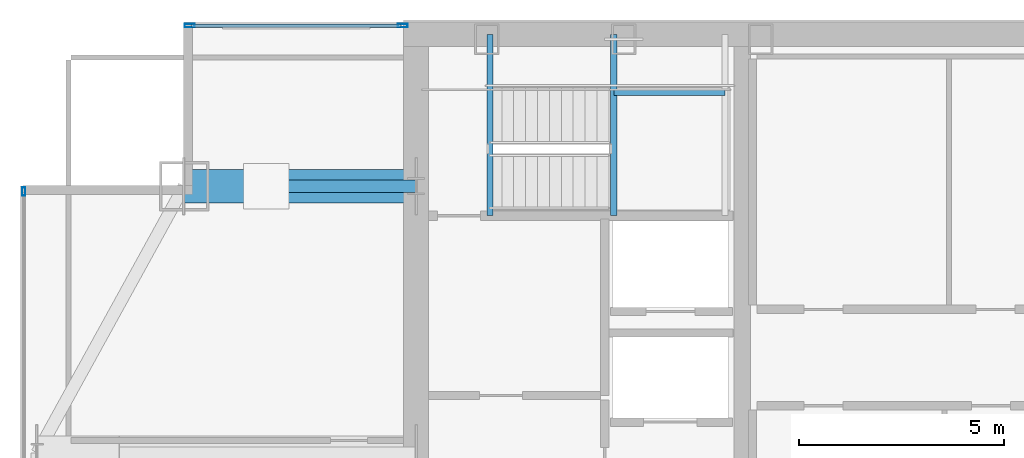
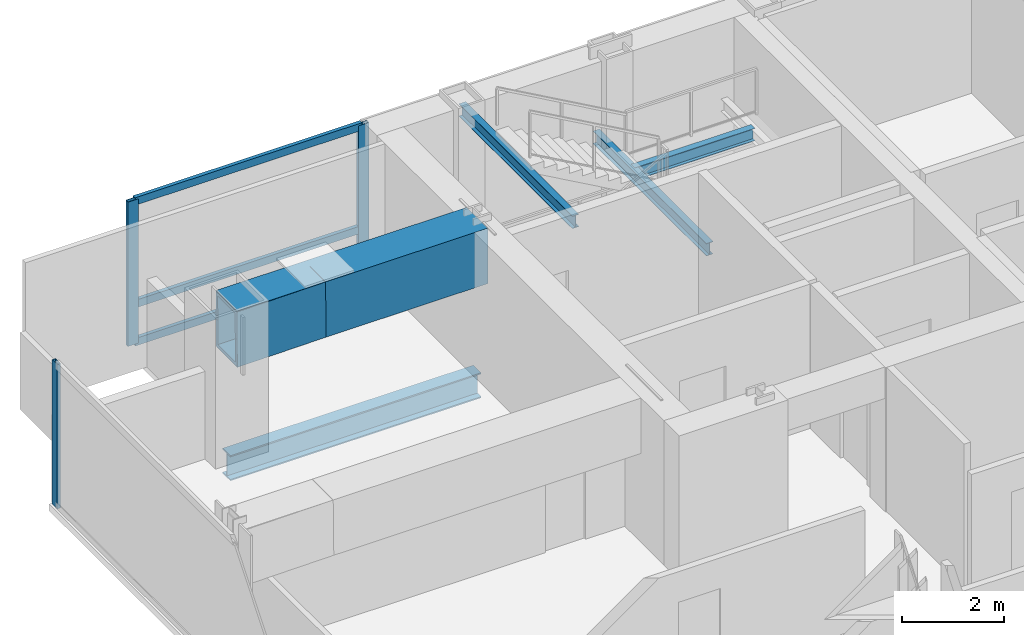
# One storey, part 17 of 26: 6 beams, 6 members, 2 elements without a shape of their own.
"""IFC4 building model written with IfcOpenShell, lengths in metres."""

from ifc_helpers import new_model, si_unit, direction, frame, origin, origin_2d, place, context, subcontext, project, spatial, hollow_rectangle, i_section, extrude, material, material_profile, profile_set, type_object, element, aggregate, save


model = new_model("IFC4")

# Units and contexts
model_context = context("Model", 3, precision=1e-05, world=origin(), true_north=direction((0.0, 1.0)))
body_context = subcontext(model_context, "Body", "Model", "MODEL_VIEW")
ifc_project = project(units=[si_unit("LENGTHUNIT", "METRE"), si_unit("AREAUNIT", "SQUARE_METRE"), si_unit("VOLUMEUNIT", "CUBIC_METRE"), si_unit("PLANEANGLEUNIT", "RADIAN"), si_unit("MASSUNIT", "GRAM", prefix="KILO")], contexts=[model_context])

# Site, building, storey
site_placement = place(None, origin())
site = spatial("IfcSite", under=ifc_project, at=site_placement, CompositionType="ELEMENT")
building_placement = place(site_placement, origin())
building = spatial("IfcBuilding", under=site, at=building_placement, Name="Khoronbel Lancet Exchange", CompositionType="ELEMENT")
storey_placement = place(building_placement, frame((0.0, 0.0, 235.39990234375)))
storey = spatial("IfcBuildingStorey", under=building, at=storey_placement, Name="L60", CompositionType="ELEMENT", Elevation=235.39990234375)

# Beams
ifc_material_1 = material(Name="Steel S355", Category="steel")
ifc_material_profile_1 = material_profile(ifc_material_1, i_section(OverallWidth=0.14990234375, OverallDepth=0.300048828125, WebThickness=0.007080078125, FlangeThickness=0.0107421875, at=origin_2d()), Name="IPE 300")
ifc_profile_set_1 = profile_set([ifc_material_profile_1], Name="Steel S355")
beam_type_1 = type_object("IfcBeamType", Name="BM-BJ8", PredefinedType="JOIST", material=ifc_profile_set_1)
beam_1_placement = place(storey_placement, frame((21.320068359375, 48.97998046875, 1.4501953125), z_axis=(0.0, 1.0, 0.0), x_axis=(-1.0, 0.0, 0.0)))
element("IfcBeam", 1, at=beam_1_placement, inside=storey, type_object=beam_type_1, Name="Level L60 stair ST1 landing bearer beam 1", PredefinedType="JOIST", context=body_context, shape_type="SweptSolid", body=[
    extrude(i_section(OverallWidth=0.14990234375, OverallDepth=0.300048828125, WebThickness=0.007080078125, FlangeThickness=0.0107421875, at=origin_2d()), origin(), (0.0, 0.0, 1.0), 4.419921875),
])
beam_2_placement = place(storey_placement, frame((21.320068359375, 51.97998046875, 1.4501953125), z_axis=(1.0, 0.0, 0.0), x_axis=(0.0, 1.0, 0.0)))
element("IfcBeam", 2, at=beam_2_placement, inside=storey, type_object=beam_type_1, Name="Level L60 stair ST1 landing cross trimmer beam 1", PredefinedType="JOIST", context=body_context, shape_type="SweptSolid", body=[
    extrude(i_section(OverallWidth=0.14990234375, OverallDepth=0.300048828125, WebThickness=0.007080078125, FlangeThickness=0.0107421875, at=origin_2d()), origin(), (0.0, 0.0, 1.0), 2.7099609375),
])
beam_3_placement = place(storey_placement, frame((18.300048828125, 48.97998046875, 3.16015625), z_axis=(0.0, 1.0, 0.0), x_axis=(-1.0, 0.0, 0.0)))
element("IfcBeam", 3, at=beam_3_placement, inside=storey, type_object=beam_type_1, Name="Level L60 stair ST1 upper-flight arrival trimmer beam", PredefinedType="JOIST", context=body_context, shape_type="SweptSolid", body=[
    extrude(i_section(OverallWidth=0.14990234375, OverallDepth=0.300048828125, WebThickness=0.007080078125, FlangeThickness=0.0107421875, at=origin_2d()), origin(), (0.0, 0.0, 1.0), 4.419921875),
])
ifc_material_profile_2 = material_profile(ifc_material_1, i_section(OverallWidth=0.300048828125, OverallDepth=0.60009765625, WebThickness=0.015380859375, FlangeThickness=0.030029296875, at=origin_2d()), Name="HEB 600")
ifc_profile_set_2 = profile_set([ifc_material_profile_2], Name="Steel S355")
beam_type_2 = type_object("IfcBeamType", Name="BM-BSP2", PredefinedType="SPANDREL", material=ifc_profile_set_2)
beam_4_placement = place(storey_placement, frame((10.85009765625, 49.699951171875, -0.4599609375), z_axis=(1.0, 0.0, 0.0), x_axis=(0.0, 1.0, 0.0)))
element("IfcBeam", 4, at=beam_4_placement, inside=storey, type_object=beam_type_2, Name="Level L60 north flank tie spandrel SP22", PredefinedType="SPANDREL", context=body_context, shape_type="SweptSolid", body=[
    extrude(i_section(OverallWidth=0.300048828125, OverallDepth=0.60009765625, WebThickness=0.015380859375, FlangeThickness=0.030029296875, at=origin_2d()), origin(), (0.0, 0.0, 1.0), 5.64990234375),
])
ifc_material_2 = material(Name="Steel S460", Category="steel")
ifc_material_profile_3 = material_profile(ifc_material_2, hollow_rectangle(XDim=0.820068359375, YDim=1.320068359375, WallThickness=0.070068359375, at=origin_2d()), Name="BOX 820x1320x70")
ifc_profile_set_3 = profile_set([ifc_material_profile_3], Name="Steel S460")
beam_type_3 = type_object("IfcBeamType", Name="BM-TG4", PredefinedType="USERDEFINED", material=ifc_profile_set_3)
beam_5_placement = place(storey_placement, frame((10.85009765625, 49.699951171875, 2.760009765625), z_axis=(0.99994990606, 0.0, 0.010009264196), x_axis=(0.0, 1.0, 0.0)))
element("IfcBeam", 5, at=beam_5_placement, inside=storey, type_object=beam_type_3, Name="Setback transfer knee-brace girder L60-MC-NW", ObjectType="TRANSFER GIRDER", PredefinedType="USERDEFINED", context=body_context, shape_type="SweptSolid", body=[
    extrude(hollow_rectangle(XDim=0.820068359375, YDim=1.320068359375, WallThickness=0.070068359375, at=origin_2d()), origin(), (0.0, 0.0, 1.0), 2.0),
])
beam_6_placement = place(storey_placement, frame((10.85009765625, 49.699951171875, 2.780029296875), z_axis=(1.0, 0.0, 0.0), x_axis=(0.0, 1.0, 0.0)))
element("IfcBeam", 6, at=beam_6_placement, inside=storey, type_object=beam_type_3, Name="Corner mega-column setback transfer girder L60-NW", ObjectType="TRANSFER GIRDER", PredefinedType="USERDEFINED", context=body_context, shape_type="SweptSolid", body=[
    extrude(hollow_rectangle(XDim=0.820068359375, YDim=1.320068359375, WallThickness=0.070068359375, at=origin_2d()), origin(), (0.0, 0.0, 1.0), 5.64990234375),
])

# Curtain wall, members
ifc_material_3 = material(Name="Low-E Solar Control Insulating Glass", Category="glass")
curtain_wall_type_1 = type_object("IfcCurtainWallType", Name="CW-3", PredefinedType="NOTDEFINED", material=ifc_material_3)
curtain_wall_1_placement = place(storey_placement, origin())
curtain_wall_1 = element("IfcCurtainWall", 7, at=curtain_wall_1_placement, inside=storey, type_object=curtain_wall_type_1, Name="Unitised curtain wall CW-L60-NWFLK", PredefinedType="NOTDEFINED")
ifc_material_4 = material(Name="Bronze-Anodised Aluminium 6063-T6", Category="aluminium")
ifc_material_profile_4 = material_profile(ifc_material_4, hollow_rectangle(XDim=0.0849609375, YDim=0.239990234375, WallThickness=0.006103515625, at=origin_2d()), Name="ALU MULLION 85x240")
ifc_profile_set_4 = profile_set([ifc_material_profile_4], Name="Bronze-Anodised Aluminium 6063-T6")
member_type_1 = type_object("IfcMemberType", Name="MEM-CWM1", PredefinedType="MULLION", material=ifc_profile_set_4)
member_1_placement = place(storey_placement, frame((16.177490234375, 53.610107421875, 0.0), z_axis=(0.0, 0.0, 1.0), x_axis=(0.0, -1.0, 0.0)))
member_1 = element("IfcMember", 8, at=member_1_placement, type_object=member_type_1, Name="CW3 mullion 1", PredefinedType="MULLION", context=body_context, shape_type="SweptSolid", body=[
    extrude(hollow_rectangle(XDim=0.0849609375, YDim=0.239990234375, WallThickness=0.006103515625, at=origin_2d()), origin(), (0.0, 0.0, 1.0), 3.440185546875),
])
member_2_placement = place(storey_placement, frame((10.982421875, 53.610107421875, 0.0), z_axis=(0.0, 0.0, 1.0), x_axis=(0.0, -1.0, 0.0)))
member_2 = element("IfcMember", 9, at=member_2_placement, type_object=member_type_1, Name="CW3 mullion 2", PredefinedType="MULLION", context=body_context, shape_type="SweptSolid", body=[
    extrude(hollow_rectangle(XDim=0.0849609375, YDim=0.239990234375, WallThickness=0.006103515625, at=origin_2d()), origin(), (0.0, 0.0, 1.0), 3.440185546875),
])

# Curtain wall, member
curtain_wall_type_2 = type_object("IfcCurtainWallType", Name="CW-4", PredefinedType="NOTDEFINED", material=ifc_material_3)
curtain_wall_2_placement = place(storey_placement, origin())
curtain_wall_2 = element("IfcCurtainWall", 10, at=curtain_wall_2_placement, inside=storey, type_object=curtain_wall_type_2, Name="Unitised curtain wall CW-L60-E03", PredefinedType="NOTDEFINED")
ifc_material_profile_5 = material_profile(ifc_material_4, hollow_rectangle(XDim=0.074951171875, YDim=0.199951171875, WallThickness=0.0048828125, at=origin_2d()), Name="ALU MULLION 75x200")
ifc_profile_set_5 = profile_set([ifc_material_profile_5], Name="Bronze-Anodised Aluminium 6063-T6")
member_type_2 = type_object("IfcMemberType", Name="MEM-CWM2", PredefinedType="MULLION", material=ifc_profile_set_5)
member_3_placement = place(storey_placement, frame((6.93994140625, 49.572509765625, 0.0), z_axis=(0.0, 0.0, 1.0), x_axis=(-1.0, 0.0, 0.0)))
member_3 = element("IfcMember", 11, at=member_3_placement, type_object=member_type_2, Name="CW4 mullion 3", PredefinedType="MULLION", context=body_context, shape_type="SweptSolid", body=[
    extrude(hollow_rectangle(XDim=0.074951171875, YDim=0.199951171875, WallThickness=0.0048828125, at=origin_2d()), origin(), (0.0, 0.0, 1.0), 3.440185546875),
])
aggregate(curtain_wall_2, [member_3])

# Member
ifc_material_profile_6 = material_profile(ifc_material_4, hollow_rectangle(XDim=0.0849609375, YDim=0.179931640625, WallThickness=0.0048828125, at=origin_2d()), Name="ALU TRANSOM 85x180")
ifc_profile_set_6 = profile_set([ifc_material_profile_6], Name="Bronze-Anodised Aluminium 6063-T6")
member_type_3 = type_object("IfcMemberType", Name="MEM-CWT1", PredefinedType="USERDEFINED", material=ifc_profile_set_6)
member_4_placement = place(storey_placement, frame((16.135009765625, 53.610107421875, 0.04248046875), z_axis=(-1.0, 0.0, 0.0), x_axis=(0.0, -1.0, 0.0)))
member_4 = element("IfcMember", 12, at=member_4_placement, type_object=member_type_3, Name="CW3 transom 1.1", ObjectType="TRANSOM", PredefinedType="USERDEFINED", context=body_context, shape_type="SweptSolid", body=[
    extrude(hollow_rectangle(XDim=0.0849609375, YDim=0.179931640625, WallThickness=0.0048828125, at=origin_2d()), origin(), (0.0, 0.0, 1.0), 5.110107421875),
])

member_5_placement = place(storey_placement, frame((16.135009765625, 53.610107421875, 0.9501953125), z_axis=(-1.0, 0.0, 0.0), x_axis=(0.0, -1.0, 0.0)))
member_5 = element("IfcMember", 13, at=member_5_placement, type_object=member_type_3, Name="CW3 transom 1.2", ObjectType="TRANSOM", PredefinedType="USERDEFINED", context=body_context, shape_type="SweptSolid", body=[
    extrude(hollow_rectangle(XDim=0.0849609375, YDim=0.179931640625, WallThickness=0.0048828125, at=origin_2d()), origin(), (0.0, 0.0, 1.0), 5.110107421875),
])

member_6_placement = place(storey_placement, frame((16.135009765625, 53.610107421875, 3.397705078125), z_axis=(-1.0, 0.0, 0.0), x_axis=(0.0, -1.0, 0.0)))
member_6 = element("IfcMember", 14, at=member_6_placement, type_object=member_type_3, Name="CW3 transom 1.3", ObjectType="TRANSOM", PredefinedType="USERDEFINED", context=body_context, shape_type="SweptSolid", body=[
    extrude(hollow_rectangle(XDim=0.0849609375, YDim=0.179931640625, WallThickness=0.0048828125, at=origin_2d()), origin(), (0.0, 0.0, 1.0), 5.110107421875),
])

aggregate(curtain_wall_1, [member_1, member_2, member_4, member_5, member_6])

save(model, "model.ifc")
